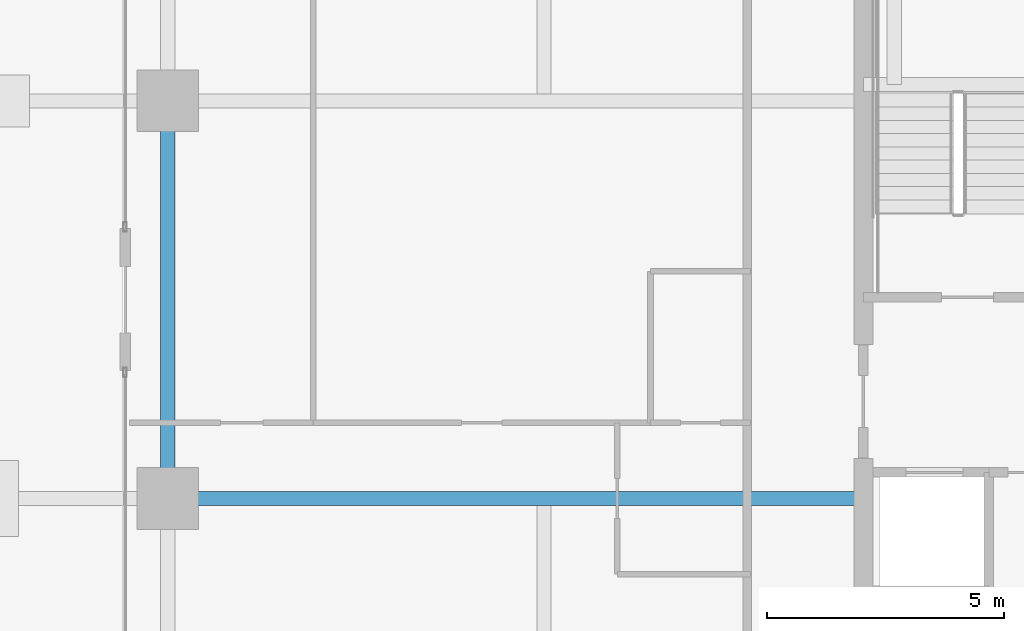
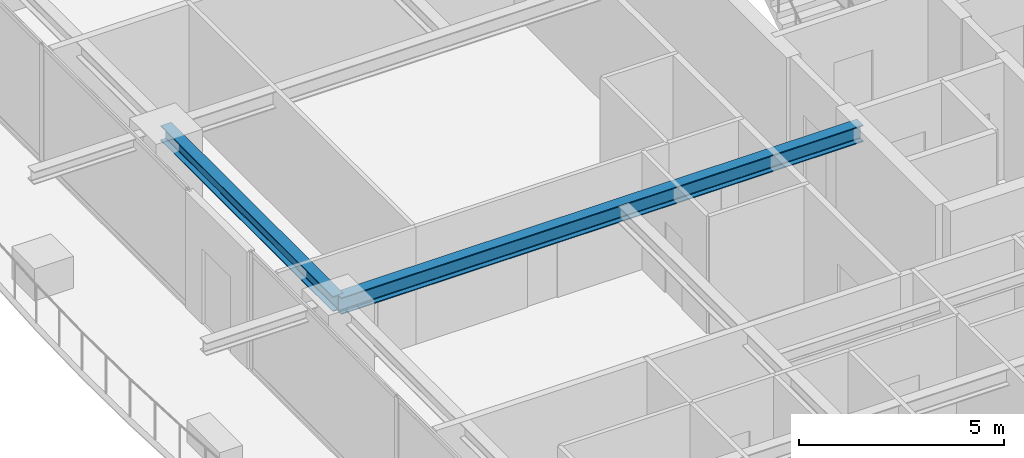
# One storey, part 9 of 39: 2 beams.
"""IFC4 building model written with IfcOpenShell, lengths in metres."""

from ifc_helpers import new_model, si_unit, direction, frame, origin, origin_2d, place, context, subcontext, project, spatial, i_section, extrude, source, transform, mapped, material, material_profile, profile_set, type_object, element, save


model = new_model("IFC4")

# Units and contexts
model_context = context("Model", 3, precision=1e-05, world=origin(), true_north=direction((0.0, 1.0)))
body_context = subcontext(model_context, "Body", "Model", "MODEL_VIEW")
ifc_project = project(units=[si_unit("LENGTHUNIT", "METRE"), si_unit("AREAUNIT", "SQUARE_METRE"), si_unit("VOLUMEUNIT", "CUBIC_METRE"), si_unit("PLANEANGLEUNIT", "RADIAN"), si_unit("MASSUNIT", "GRAM", prefix="KILO")], contexts=[model_context])

# Site, building, storey
site_placement = place(None, origin())
site = spatial("IfcSite", under=ifc_project, at=site_placement, CompositionType="ELEMENT")
building_placement = place(site_placement, origin())
building = spatial("IfcBuilding", under=site, at=building_placement, Name="Serunith Strait Residences", CompositionType="ELEMENT")
storey_placement = place(building_placement, frame((0.0, 0.0, 168.89990234375)))
storey = spatial("IfcBuildingStorey", under=building, at=storey_placement, Name="L42", CompositionType="ELEMENT", Elevation=168.89990234375)

# Beams
ifc_material = material(Name="Steel S355J2", Category="steel")
ifc_material_profile_1 = material_profile(ifc_material, i_section(OverallWidth=0.300048828125, OverallDepth=0.449951171875, WebThickness=0.013916015625, FlangeThickness=0.02587890625, FilletRadius=0.027099609375, at=origin_2d()), Name="HEB 450")
ifc_profile_set_1 = profile_set([ifc_material_profile_1], Name="Steel S355J2")
beam_type_1 = type_object("IfcBeamType", Name="BM-HEB450", PredefinedType="BEAM", material=ifc_profile_set_1)
shared_shape_1 = source(origin(), body_context, "Body", "SweptSolid", [
    extrude(i_section(OverallWidth=0.300048828125, OverallDepth=0.449951171875, WebThickness=0.013916015625, FlangeThickness=0.02587890625, FilletRadius=0.027099609375, at=origin_2d()), origin(), (0.0, 0.0, 1.0), 8.39990234375),
])
beam_1_placement = place(storey_placement, frame((8.699951171875, 29.39990234375, 3.26220703125), z_axis=(0.0, -1.0, 0.0), x_axis=(1.0, 0.0, 0.0)))
element("IfcBeam", 1, at=beam_1_placement, inside=storey, type_object=beam_type_1, Name="L42 Perimeter Ring Beam 14", PredefinedType="BEAM", context=body_context, shape_type="MappedRepresentation", body=[
    mapped(shared_shape_1, transform((0.0, 0.0, 0.0), scale=1.0)),
])
ifc_material_profile_2 = material_profile(ifc_material, i_section(OverallWidth=0.300048828125, OverallDepth=0.5, WebThickness=0.014404296875, FlangeThickness=0.028076171875, FilletRadius=0.027099609375, at=origin_2d()), Name="HEB 500")
ifc_profile_set_2 = profile_set([ifc_material_profile_2], Name="Steel S355J2")
beam_type_2 = type_object("IfcBeamType", Name="BM-HEB500", PredefinedType="BEAM", material=ifc_profile_set_2)
shared_shape_2 = source(origin(), body_context, "Body", "SweptSolid", [
    extrude(i_section(OverallWidth=0.300048828125, OverallDepth=0.5, WebThickness=0.014404296875, FlangeThickness=0.028076171875, FilletRadius=0.027099609375, at=origin_2d()), origin(), (0.0, 0.0, 1.0), 14.699951171875),
])
beam_2_placement = place(storey_placement, frame((23.39990234375, 21.0, 3.237060546875), z_axis=(-1.0, 0.0, 0.0), x_axis=(0.0, -1.0, 0.0)))
element("IfcBeam", 2, at=beam_2_placement, inside=storey, type_object=beam_type_2, Name="L42 Primary Floor Girder TC-W2", PredefinedType="BEAM", context=body_context, shape_type="MappedRepresentation", body=[
    mapped(shared_shape_2, transform((0.0, 0.0, 0.0), scale=1.0)),
])

save(model, "model.ifc")
